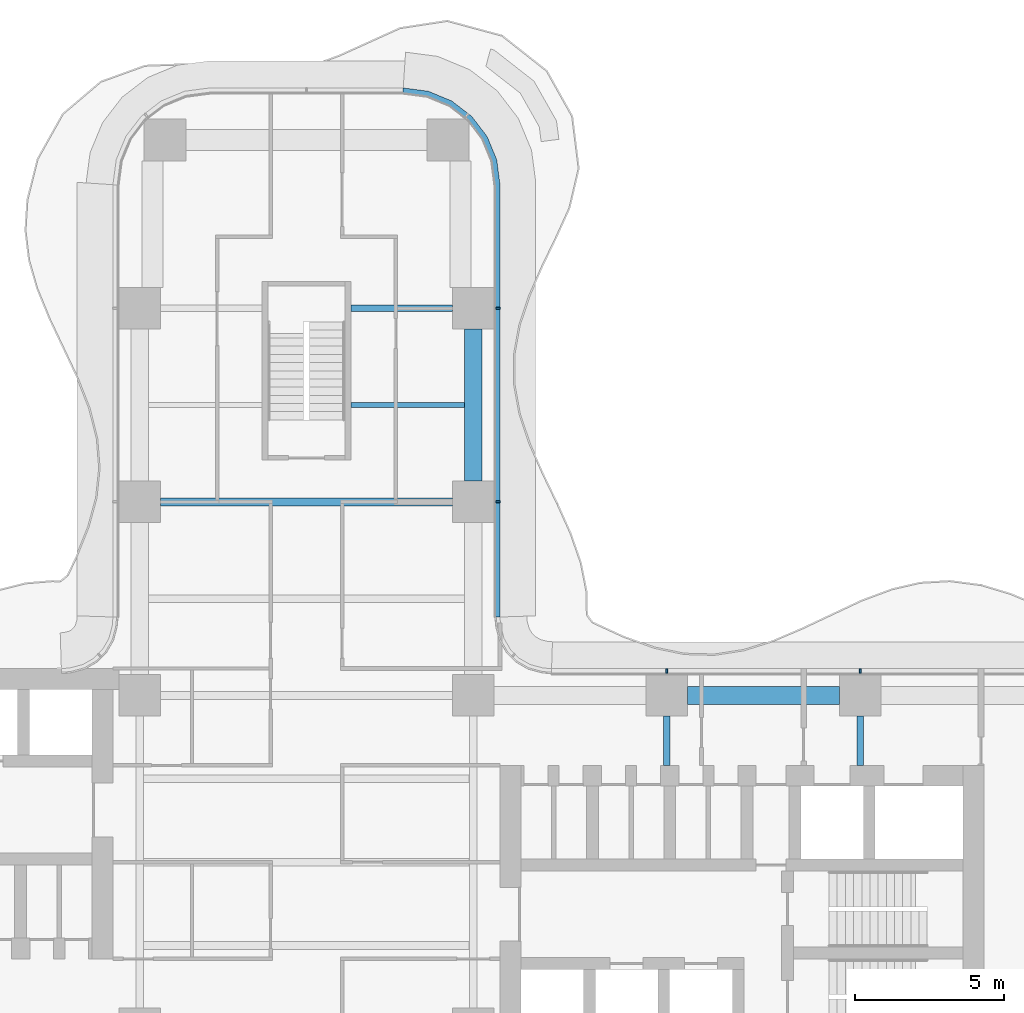
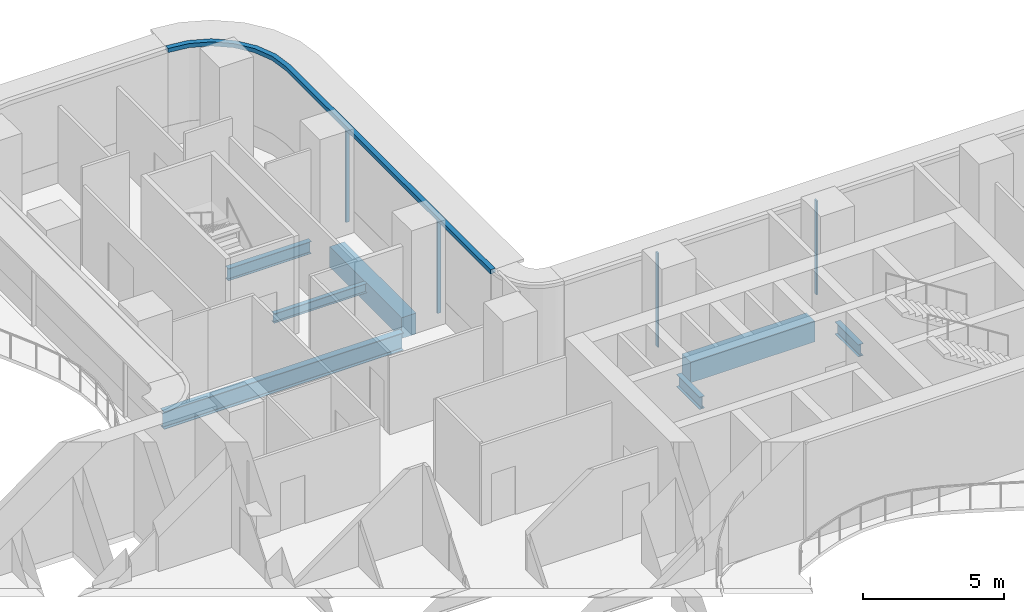
# One storey, part 10 of 22: 7 beams, 5 members, 2 elements without a shape of their own.
"""IFC4 building model written with IfcOpenShell, lengths in metres."""

from ifc_helpers import new_model, si_unit, direction, frame, origin, origin_2d, place, context, subcontext, project, spatial, polyline, rectangle, i_section, outline, extrude, source, transform, mapped, material, layer, layer_set, material_profile, profile_set, type_object, element, aggregate, save


model = new_model("IFC4")

# Units and contexts
model_context = context("Model", 3, precision=1e-05, world=origin(), true_north=direction((0.0, 1.0)))
body_context = subcontext(model_context, "Body", "Model", "MODEL_VIEW")
ifc_project = project(units=[si_unit("LENGTHUNIT", "METRE"), si_unit("AREAUNIT", "SQUARE_METRE"), si_unit("VOLUMEUNIT", "CUBIC_METRE"), si_unit("PLANEANGLEUNIT", "RADIAN"), si_unit("MASSUNIT", "GRAM", prefix="KILO")], contexts=[model_context])

# Site, building, storey
site_placement = place(None, origin())
site = spatial("IfcSite", under=ifc_project, at=site_placement, CompositionType="ELEMENT")
building_placement = place(site_placement, origin())
building = spatial("IfcBuilding", under=site, at=building_placement, Name="Trellis Farm Tower", CompositionType="ELEMENT")
storey_placement = place(building_placement, frame((0.0, 0.0, 79.0)))
storey = spatial("IfcBuildingStorey", under=building, at=storey_placement, Name="L16", CompositionType="ELEMENT", Elevation=79.0)

# Beams
ifc_material_1 = material(Name="Steel S355", Category="steel")
ifc_material_profile_1 = material_profile(ifc_material_1, i_section(OverallWidth=0.209228515625, OverallDepth=0.533203125, WebThickness=0.010009765625, FlangeThickness=0.015625, FilletRadius=0.0126953125, at=origin_2d()), Name="UB 533x210x92")
ifc_profile_set_1 = profile_set([ifc_material_profile_1], Name="Steel S355")
beam_type_1 = type_object("IfcBeamType", Name="UB 533x210x92", PredefinedType="BEAM", material=ifc_profile_set_1)
shared_shape_1 = source(origin(), body_context, "Body", "SweptSolid", [
    extrude(i_section(OverallWidth=0.209228515625, OverallDepth=0.533203125, WebThickness=0.010009765625, FlangeThickness=0.015625, FilletRadius=0.0126953125, at=origin_2d()), origin(), (0.0, 0.0, 1.0), 3.39990234375),
])
beam_1_placement = place(storey_placement, frame((1.5, 18.60009765625, -0.5166015625), z_axis=(1.0, 0.0, 0.0), x_axis=(0.0, 1.0, 0.0)))
element("IfcBeam", 1, at=beam_1_placement, inside=storey, type_object=beam_type_1, Name="Girder", PredefinedType="BEAM", context=body_context, shape_type="MappedRepresentation", body=[
    mapped(shared_shape_1, transform((0.0, 0.0, 0.0))),
])
ifc_material_2 = material(Name="Concrete C60/75", Category="concrete")
ifc_material_profile_2 = material_profile(ifc_material_2, rectangle(XDim=0.60009765625, YDim=0.89990234375, at=origin_2d()), Name="RC spandrel beam 600x900 C60/75")
ifc_profile_set_2 = profile_set([ifc_material_profile_2], Name="Concrete C60/75")
beam_type_2 = type_object("IfcBeamType", Name="RC spandrel beam 600x900 C60/75", PredefinedType="SPANDREL", material=ifc_profile_set_2)
shared_shape_2 = source(origin(), body_context, "Body", "SweptSolid", [
    extrude(rectangle(XDim=0.60009765625, YDim=0.89990234375, at=origin_2d()), origin(), (0.0, 0.0, 1.0), 5.099853515625),
])
for number, where, z_axis, x_axis, name in (
    (2, (12.800048828125, 5.60009765625, -0.699951171875), (1.0, 0.0, 0.0), (0.0, 1.0, 0.0), "Girder"),
    (3, (5.60009765625, 12.800048828125, -0.699951171875), (0.0, 1.0, 0.0), (-1.0, 0.0, 0.0), "Girder"),
):
    element("IfcBeam", number, at=place(storey_placement, frame(where, z_axis=z_axis, x_axis=x_axis)), inside=storey, type_object=beam_type_2, Name=name, PredefinedType="SPANDREL", context=body_context, shape_type="MappedRepresentation", body=[
        mapped(shared_shape_2, transform((0.0, 0.0, 0.0))),
    ])
ifc_material_profile_3 = material_profile(ifc_material_1, i_section(OverallWidth=0.2666015625, OverallDepth=0.76220703125, WebThickness=0.014404296875, FlangeThickness=0.021484375, FilletRadius=0.0166015625, at=origin_2d()), Name="UB 762x267x173")
ifc_profile_set_3 = profile_set([ifc_material_profile_3], Name="Steel S355")
beam_type_3 = type_object("IfcBeamType", Name="UB 762x267x173", PredefinedType="BEAM", material=ifc_profile_set_3)
shared_shape_3 = source(origin(), body_context, "Body", "SweptSolid", [
    extrude(i_section(OverallWidth=0.2666015625, OverallDepth=0.76220703125, WebThickness=0.014404296875, FlangeThickness=0.021484375, FilletRadius=0.0166015625, at=origin_2d()), origin(), (0.0, 0.0, 1.0), 9.7998046875),
])
beam_2_placement = place(storey_placement, frame((-4.89990234375, 12.10009765625, -0.631103515625), z_axis=(1.0, 0.0, 0.0), x_axis=(0.0, 1.0, 0.0)))
element("IfcBeam", 4, at=beam_2_placement, inside=storey, type_object=beam_type_3, Name="Girder", PredefinedType="BEAM", context=body_context, shape_type="MappedRepresentation", body=[
    mapped(shared_shape_3, transform((0.0, 0.0, 0.0))),
])
shared_shape_4 = source(origin(), body_context, "Body", "SweptSolid", [
    extrude(i_section(OverallWidth=0.209228515625, OverallDepth=0.533203125, WebThickness=0.010009765625, FlangeThickness=0.015625, FilletRadius=0.0126953125, at=origin_2d()), origin(), (0.0, 0.0, 1.0), 1.64990234375),
])
for number, where, z_axis, x_axis, name in (
    (5, (12.10009765625, 3.25, -0.5166015625), (0.0, 1.0, 0.0), (-1.0, 0.0, 0.0), "Girder"),
    (6, (18.60009765625, 3.25, -0.5166015625), (0.0, 1.0, 0.0), (-1.0, 0.0, 0.0), "Girder"),
):
    element("IfcBeam", number, at=place(storey_placement, frame(where, z_axis=z_axis, x_axis=x_axis)), inside=storey, type_object=beam_type_1, Name=name, PredefinedType="BEAM", context=body_context, shape_type="MappedRepresentation", body=[
        mapped(shared_shape_4, transform((0.0, 0.0, 0.0))),
    ])
ifc_material_profile_4 = material_profile(ifc_material_1, i_section(OverallWidth=0.177978515625, OverallDepth=0.406494140625, WebThickness=0.0078125, FlangeThickness=0.0126953125, FilletRadius=0.01025390625, at=origin_2d()), Name="UB 406x178x60")
ifc_profile_set_4 = profile_set([ifc_material_profile_4], Name="Steel S355")
beam_type_4 = type_object("IfcBeamType", Name="UB 406x178x60 joist", PredefinedType="JOIST", material=ifc_profile_set_4)
shared_shape_5 = source(origin(), body_context, "Body", "SweptSolid", [
    extrude(i_section(OverallWidth=0.177978515625, OverallDepth=0.406494140625, WebThickness=0.0078125, FlangeThickness=0.0126953125, FilletRadius=0.01025390625, at=origin_2d()), origin(), (0.0, 0.0, 1.0), 3.800048828125),
])
beam_3_placement = place(storey_placement, frame((1.5, 15.35009765625, -0.453125), z_axis=(1.0, 0.0, 0.0), x_axis=(0.0, 1.0, 0.0)))
element("IfcBeam", 7, at=beam_3_placement, inside=storey, type_object=beam_type_4, Name="Floor beam", PredefinedType="JOIST", context=body_context, shape_type="MappedRepresentation", body=[
    mapped(shared_shape_5, transform((0.0, 0.0, 0.0))),
])

# Curtain wall, members
ifc_material_3 = material(Name="Aluminium and glass curtain wall", Category="aluminium")
ifc_layer_1 = layer(ifc_material_3, 0.18994140625)
ifc_layer_set_1 = layer_set([ifc_layer_1], Name="RIBBON CURTAIN WALL CW1")
curtain_wall_type = type_object("IfcCurtainWallType", Name="RIBBON CURTAIN WALL CW1", PredefinedType="NOTDEFINED", material=ifc_layer_set_1)
placement = place(storey_placement, origin())
curtain_wall_1 = element("IfcCurtainWall", 8, at=placement, inside=storey, type_object=curtain_wall_type, Name="CW1 008", PredefinedType="NOTDEFINED")
ifc_material_4 = material(Name="Aluminium extrusion 6063-T6", Category="aluminium")
ifc_material_profile_5 = material_profile(ifc_material_4, rectangle(XDim=0.06005859375, YDim=0.14990234375, at=origin_2d()), Name="MULLION 60x150")
ifc_profile_set_5 = profile_set([ifc_material_profile_5], Name="Aluminium extrusion 6063-T6")
member_type_1 = type_object("IfcMemberType", Name="CW1 MULLION 60x150", PredefinedType="MULLION", material=ifc_profile_set_5)
shared_shape_6 = source(origin(), body_context, "Body", "SweptSolid", [
    extrude(rectangle(XDim=0.06005859375, YDim=0.14990234375, at=origin_2d()), origin(), (0.0, 0.0, 1.0), 4.070068359375),
])
member_1_placement = place(storey_placement, frame((18.60009765625, 6.425048828125, 0.0), z_axis=(0.0, 0.0, 1.0), x_axis=(-1.0, 0.0, 0.0)))
member_1 = element("IfcMember", 9, at=member_1_placement, type_object=member_type_1, Name="MU1 008-02", PredefinedType="MULLION", context=body_context, shape_type="MappedRepresentation", body=[
    mapped(shared_shape_6, transform((0.0, 0.0, 0.0))),
])
member_2_placement = place(storey_placement, frame((12.10009765625, 6.425048828125, 0.0), z_axis=(0.0, 0.0, 1.0), x_axis=(-1.0, 0.0, 0.0)))
member_2 = element("IfcMember", 10, at=member_2_placement, type_object=member_type_1, Name="MU1 008-03", PredefinedType="MULLION", context=body_context, shape_type="MappedRepresentation", body=[
    mapped(shared_shape_6, transform((0.0, 0.0, 0.0))),
])
aggregate(curtain_wall_1, [member_1, member_2])

curtain_wall_2 = element("IfcCurtainWall", 11, at=placement, inside=storey, type_object=curtain_wall_type, Name="CW1 009", PredefinedType="NOTDEFINED")
member_3_placement = place(storey_placement, frame((6.425048828125, 12.10009765625, 0.0), z_axis=(0.0, 0.0, 1.0), x_axis=(0.0, 1.0, 0.0)))
member_3 = element("IfcMember", 12, at=member_3_placement, type_object=member_type_1, Name="MU1 009-01", PredefinedType="MULLION", context=body_context, shape_type="MappedRepresentation", body=[
    mapped(shared_shape_6, transform((0.0, 0.0, 0.0))),
])
member_4_placement = place(storey_placement, frame((6.425048828125, 18.60009765625, 0.0), z_axis=(0.0, 0.0, 1.0), x_axis=(0.0, 1.0, 0.0)))
member_4 = element("IfcMember", 13, at=member_4_placement, type_object=member_type_1, Name="MU1 009-02", PredefinedType="MULLION", context=body_context, shape_type="MappedRepresentation", body=[
    mapped(shared_shape_6, transform((0.0, 0.0, 0.0))),
])
ifc_layer_2 = layer(ifc_material_4, 0.199951171875)
ifc_layer_set_2 = layer_set([ifc_layer_2], Name="Aluminium extrusion 6063-T6")
member_type_2 = type_object("IfcMemberType", Name="CW1 TRANSOM 200x180", PredefinedType="USERDEFINED", material=ifc_layer_set_2)
shared_shape_7 = source(origin(), body_context, "Body", "SweptSolid", [
    extrude(outline(polyline([(6.5, 8.2314453125), (6.5, 22.75), (6.38916015625, 23.591064453125), (6.064697265625, 24.375), (5.548095703125, 25.048095703125), (4.875, 25.564697265625), (4.091064453125, 25.88916015625), (3.25, 26.0), (3.23681640625, 25.800048828125), (4.0390625, 25.6943359375), (4.774169921875, 25.389892578125), (5.405517578125, 24.905517578125), (5.889892578125, 24.274169921875), (6.1943359375, 23.5390625), (6.300048828125, 22.73681640625), (6.300048828125, 8.224853515625), (6.5, 8.2314453125)])), origin(), (0.0, 0.0, 1.0), 0.179931640625),
])
member_5_placement = place(storey_placement, frame((0.0, 0.0, 4.070068359375)))
member_5 = element("IfcMember", 14, at=member_5_placement, type_object=member_type_2, Name="TR1 009", ObjectType="TRANSOM", PredefinedType="USERDEFINED", context=body_context, shape_type="MappedRepresentation", body=[
    mapped(shared_shape_7, transform((0.0, 0.0, 0.0))),
])
aggregate(curtain_wall_2, [member_3, member_4, member_5])

save(model, "model.ifc")
